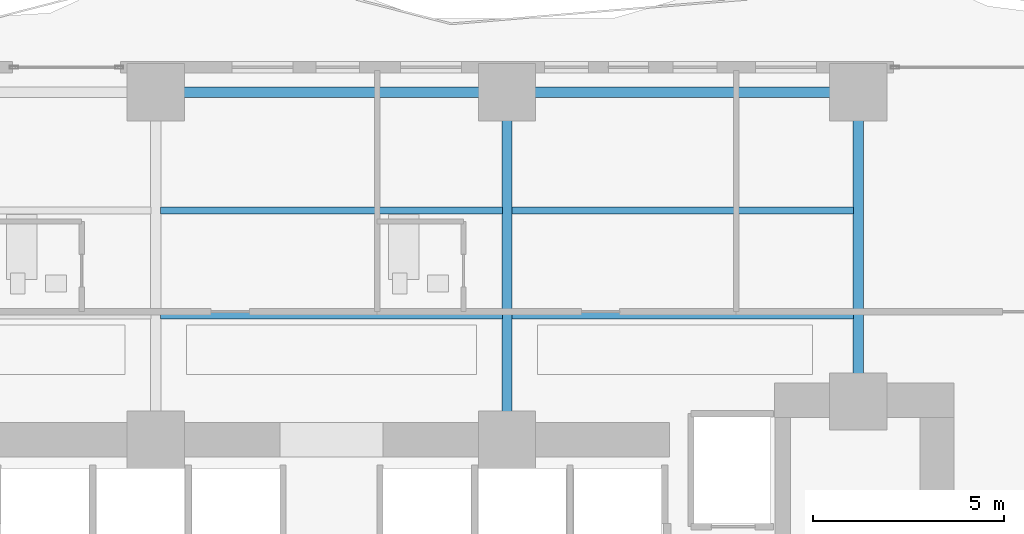
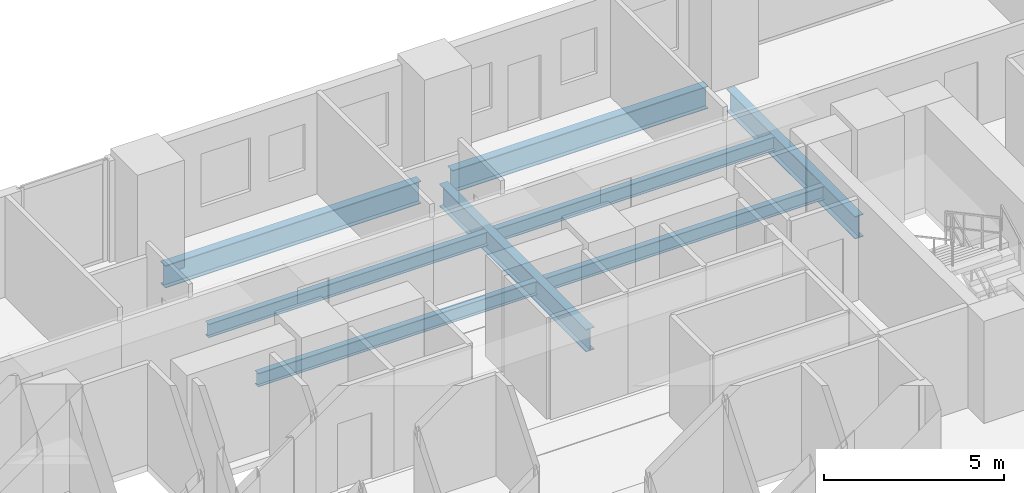
# One storey, part 15 of 29: 8 beams.
"""IFC4 building model written with IfcOpenShell, lengths in metres."""

from ifc_helpers import new_model, si_unit, direction, frame, origin, origin_2d, place, context, subcontext, project, spatial, i_section, extrude, material, material_profile, profile_set, type_object, element, save


model = new_model("IFC4")

# Units and contexts
model_context = context("Model", 3, precision=1e-05, world=origin(), true_north=direction((0.0, 1.0)))
body_context = subcontext(model_context, "Body", "Model", "MODEL_VIEW")
ifc_project = project(units=[si_unit("LENGTHUNIT", "METRE"), si_unit("AREAUNIT", "SQUARE_METRE"), si_unit("VOLUMEUNIT", "CUBIC_METRE"), si_unit("PLANEANGLEUNIT", "RADIAN"), si_unit("MASSUNIT", "GRAM", prefix="KILO")], contexts=[model_context])

# Site, building, storey
site_placement = place(None, origin())
site = spatial("IfcSite", under=ifc_project, at=site_placement, CompositionType="ELEMENT")
building_placement = place(site_placement, origin())
building = spatial("IfcBuilding", under=site, at=building_placement, Name="Zuhayl Quay Hotel", CompositionType="ELEMENT")
storey_placement = place(building_placement, frame((0.0, 0.0, 42.199951171875)))
storey = spatial("IfcBuildingStorey", under=building, at=storey_placement, Name="L09", CompositionType="ELEMENT", Elevation=42.199951171875)

# Beams
ifc_material = material(Name="Steel ASTM A992 Grade 50", Category="steel")
ifc_material_profile_1 = material_profile(ifc_material, i_section(OverallWidth=0.26708984375, OverallDepth=0.761962890625, WebThickness=0.014404296875, FlangeThickness=0.021484375, at=origin_2d()), Name="W30X116")
ifc_profile_set_1 = profile_set([ifc_material_profile_1], Name="Steel ASTM A992 Grade 50")
beam_type_1 = type_object("IfcBeamType", Name="BM_B1_W30X116", PredefinedType="BEAM", material=ifc_profile_set_1)
beam_1_placement = place(storey_placement, frame((13.300048828125, 22.449951171875, -0.600830078125), z_axis=(-1.0, 0.0, 0.0), x_axis=(0.0, -1.0, 0.0)))
element("IfcBeam", 1, at=beam_1_placement, inside=storey, type_object=beam_type_1, Name="L09 Floor Beam RG_L09_07", PredefinedType="BEAM", context=body_context, shape_type="SweptSolid", body=[
    extrude(i_section(OverallWidth=0.26708984375, OverallDepth=0.761962890625, WebThickness=0.014404296875, FlangeThickness=0.021484375, at=origin_2d()), origin(), (0.0, 0.0, 1.0), 8.199951171875),
])
beam_2_placement = place(storey_placement, frame((4.10009765625, 22.449951171875, -0.600830078125), z_axis=(-1.0, 0.0, 0.0), x_axis=(0.0, -1.0, 0.0)))
element("IfcBeam", 2, at=beam_2_placement, inside=storey, type_object=beam_type_1, Name="L09 Floor Beam RG_L09_08", PredefinedType="BEAM", context=body_context, shape_type="SweptSolid", body=[
    extrude(i_section(OverallWidth=0.26708984375, OverallDepth=0.761962890625, WebThickness=0.014404296875, FlangeThickness=0.021484375, at=origin_2d()), origin(), (0.0, 0.0, 1.0), 8.2001953125),
])
beam_3_placement = place(storey_placement, frame((4.60009765625, 13.800048828125, -0.600830078125), z_axis=(0.0, 1.0, 0.0), x_axis=(-1.0, 0.0, 0.0)))
element("IfcBeam", 3, at=beam_3_placement, inside=storey, type_object=beam_type_1, Name="L09 Floor Beam FG_N_L09_3", PredefinedType="BEAM", context=body_context, shape_type="SweptSolid", body=[
    extrude(i_section(OverallWidth=0.26708984375, OverallDepth=0.761962890625, WebThickness=0.014404296875, FlangeThickness=0.021484375, at=origin_2d()), origin(), (0.0, 0.0, 1.0), 8.14990234375),
])
beam_4_placement = place(storey_placement, frame((13.800048828125, 14.800048828125, -0.600830078125), z_axis=(0.0, 1.0, 0.0), x_axis=(-1.0, 0.0, 0.0)))
element("IfcBeam", 4, at=beam_4_placement, inside=storey, type_object=beam_type_1, Name="L09 Floor Beam FG_N_L09_4", PredefinedType="BEAM", context=body_context, shape_type="SweptSolid", body=[
    extrude(i_section(OverallWidth=0.26708984375, OverallDepth=0.761962890625, WebThickness=0.014404296875, FlangeThickness=0.021484375, at=origin_2d()), origin(), (0.0, 0.0, 1.0), 7.14990234375),
])
ifc_material_profile_2 = material_profile(ifc_material, i_section(OverallWidth=0.18994140625, OverallDepth=0.45703125, WebThickness=0.009033203125, FlangeThickness=0.014404296875, at=origin_2d()), Name="W18X50")
ifc_profile_set_2 = profile_set([ifc_material_profile_2], Name="Steel ASTM A992 Grade 50")
beam_type_2 = type_object("IfcBeamType", Name="BM_J2_W18X50", PredefinedType="JOIST", material=ifc_profile_set_2)
beam_5_placement = place(storey_placement, frame((-4.474609375, 16.60009765625, -0.448486328125), z_axis=(1.0, 0.0, 0.0), x_axis=(0.0, 1.0, 0.0)))
element("IfcBeam", 5, at=beam_5_placement, inside=storey, type_object=beam_type_2, Name="L09 Floor Beam FJ_L09_1_2", PredefinedType="JOIST", context=body_context, shape_type="SweptSolid", body=[
    extrude(i_section(OverallWidth=0.18994140625, OverallDepth=0.45703125, WebThickness=0.009033203125, FlangeThickness=0.014404296875, at=origin_2d()), origin(), (0.0, 0.0, 1.0), 8.94921875),
])
beam_6_placement = place(storey_placement, frame((4.7255859375, 16.60009765625, -0.448486328125), z_axis=(1.0, 0.0, 0.0), x_axis=(0.0, 1.0, 0.0)))
element("IfcBeam", 6, at=beam_6_placement, inside=storey, type_object=beam_type_2, Name="L09 Floor Beam FJ_L09_1_3", PredefinedType="JOIST", context=body_context, shape_type="SweptSolid", body=[
    extrude(i_section(OverallWidth=0.18994140625, OverallDepth=0.45703125, WebThickness=0.009033203125, FlangeThickness=0.014404296875, at=origin_2d()), origin(), (0.0, 0.0, 1.0), 8.948974609375),
])
beam_7_placement = place(storey_placement, frame((-4.474609375, 19.35009765625, -0.448486328125), z_axis=(1.0, 0.0, 0.0), x_axis=(0.0, 1.0, 0.0)))
element("IfcBeam", 7, at=beam_7_placement, inside=storey, type_object=beam_type_2, Name="L09 Floor Beam FJ_L09_2_2", PredefinedType="JOIST", context=body_context, shape_type="SweptSolid", body=[
    extrude(i_section(OverallWidth=0.18994140625, OverallDepth=0.45703125, WebThickness=0.009033203125, FlangeThickness=0.014404296875, at=origin_2d()), origin(), (0.0, 0.0, 1.0), 8.94921875),
])
beam_8_placement = place(storey_placement, frame((4.7255859375, 19.35009765625, -0.448486328125), z_axis=(1.0, 0.0, 0.0), x_axis=(0.0, 1.0, 0.0)))
element("IfcBeam", 8, at=beam_8_placement, inside=storey, type_object=beam_type_2, Name="L09 Floor Beam FJ_L09_2_3", PredefinedType="JOIST", context=body_context, shape_type="SweptSolid", body=[
    extrude(i_section(OverallWidth=0.18994140625, OverallDepth=0.45703125, WebThickness=0.009033203125, FlangeThickness=0.014404296875, at=origin_2d()), origin(), (0.0, 0.0, 1.0), 8.948974609375),
])

save(model, "model.ifc")
